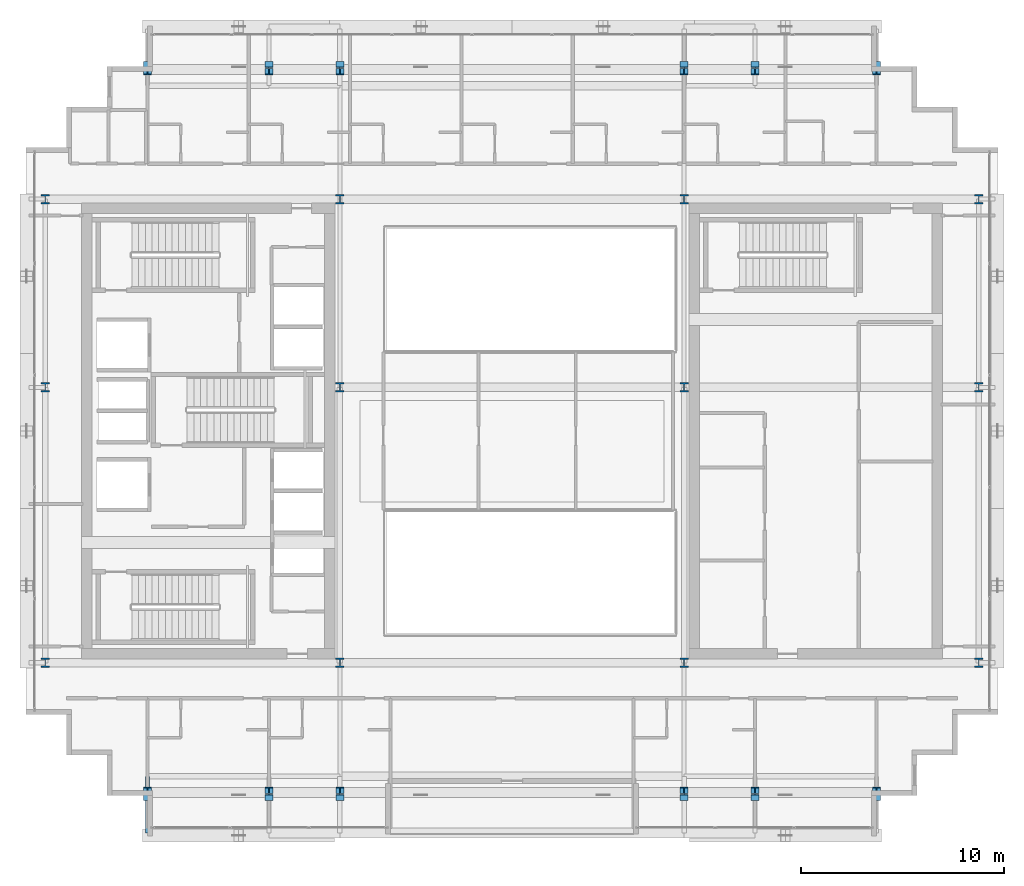
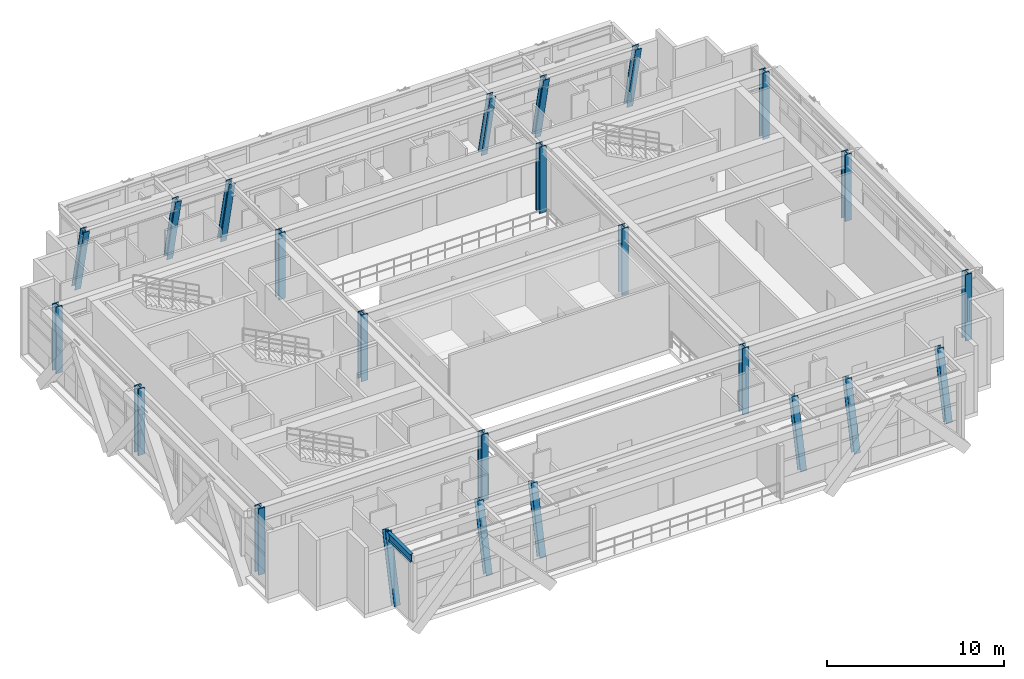
# One storey, part 1 of 31: 24 columns, 1 beam.
"""IFC4 building model written with IfcOpenShell, lengths in metres."""

from ifc_helpers import new_model, si_unit, direction, frame, origin, origin_2d, place, context, subcontext, project, spatial, i_section, extrude, source, transform, mapped, material, material_profile, profile_set, type_object, element, save


model = new_model("IFC4")

# Units and contexts
model_context = context("Model", 3, precision=1e-05, world=origin(), true_north=direction((0.0, 1.0)))
body_context = subcontext(model_context, "Body", "Model", "MODEL_VIEW")
ifc_project = project(units=[si_unit("LENGTHUNIT", "METRE"), si_unit("AREAUNIT", "SQUARE_METRE"), si_unit("VOLUMEUNIT", "CUBIC_METRE"), si_unit("PLANEANGLEUNIT", "RADIAN"), si_unit("MASSUNIT", "GRAM", prefix="KILO")], contexts=[model_context])

# Site, building, storey
site_placement = place(None, origin())
site = spatial("IfcSite", under=ifc_project, at=site_placement, CompositionType="ELEMENT")
building_placement = place(site_placement, origin())
building = spatial("IfcBuilding", under=site, at=building_placement, Name="Ocotamira Hotel", CompositionType="ELEMENT")
storey_placement = place(building_placement, frame((0.0, 0.0, 228.0)))
storey = spatial("IfcBuildingStorey", under=building, at=storey_placement, Name="L57", CompositionType="ELEMENT", Elevation=228.0)

# Columns
ifc_material_1 = material(Name="Steel ASTM A913 Grade 65", Category="steel")
ifc_material_profile_1 = material_profile(ifc_material_1, i_section(OverallWidth=0.422119140625, OverallDepth=0.465087890625, WebThickness=0.044921875, FlangeThickness=0.072509765625, FilletRadius=0.02490234375, at=origin_2d()), Name="W14X398")
ifc_profile_set_1 = profile_set([ifc_material_profile_1], Name="Steel ASTM A913 Grade 65")
column_type_1 = type_object("IfcColumnType", Name="COL-W14X398", PredefinedType="COLUMN", material=ifc_profile_set_1)
shared_shape_1 = source(origin(), body_context, "Body", "SweptSolid", [
    extrude(i_section(OverallWidth=0.422119140625, OverallDepth=0.465087890625, WebThickness=0.044921875, FlangeThickness=0.072509765625, FilletRadius=0.02490234375, at=origin_2d()), origin(), (0.0, 0.0, 1.0), 4.580078125),
])
for number, where, z_axis, x_axis, name in (
    (1, (8.949951171875, 14.550048828125, 0.0), (0.0, 0.0, 1.0), (1.0, 0.0, 0.0), "L57 Column TW8_14"),
    (2, (23.5, 14.550048828125, 0.0), (0.0, 0.0, 1.0), (1.0, 0.0, 0.0), "L57 Column TW23_14"),
    (3, (40.5, 14.550048828125, 0.0), (0.0, 0.0, 1.0), (1.0, 0.0, 0.0), "L57 Column TE40_14"),
    (4, (55.050048828125, 14.550048828125, 0.0), (0.0, 0.0, 1.0), (1.0, 0.0, 0.0), "L57 Column TE55_14"),
    (5, (8.949951171875, 28.14990234375, 0.0), (0.0, 0.0, 1.0), (1.0, 0.0, 0.0), "L57 Column TW8_28"),
    (6, (23.5, 28.14990234375, 0.0), (0.0, 0.0, 1.0), (1.0, 0.0, 0.0), "L57 Column TW23_28"),
    (7, (40.5, 28.14990234375, 0.0), (0.0, 0.0, 1.0), (1.0, 0.0, 0.0), "L57 Column TE40_28"),
    (8, (55.050048828125, 28.14990234375, 0.0), (0.0, 0.0, 1.0), (1.0, 0.0, 0.0), "L57 Column TE55_28"),
    (9, (8.949951171875, 37.449951171875, 0.0), (0.0, 0.0, 1.0), (1.0, 0.0, 0.0), "L57 Column TW8_37"),
    (10, (23.5, 37.449951171875, 0.0), (0.0, 0.0, 1.0), (1.0, 0.0, 0.0), "L57 Column TW23_37"),
    (11, (40.5, 37.449951171875, 0.0), (0.0, 0.0, 1.0), (1.0, 0.0, 0.0), "L57 Column TE40_37"),
    (12, (55.050048828125, 37.449951171875, 0.0), (0.0, 0.0, 1.0), (1.0, 0.0, 0.0), "L57 Column TE55_37"),
):
    element("IfcColumn", number, at=place(storey_placement, frame(where, z_axis=z_axis, x_axis=x_axis)), inside=storey, type_object=column_type_1, Name=name, PredefinedType="COLUMN", context=body_context, shape_type="MappedRepresentation", body=[
        mapped(shared_shape_1, transform((0.0, 0.0, 0.0), scale=1.0)),
    ])
ifc_material_2 = material(Name="Steel ASTM A992 Grade 50", Category="steel")
ifc_material_profile_2 = material_profile(ifc_material_2, i_section(OverallWidth=0.39892578125, OverallDepth=0.386962890625, WebThickness=0.02099609375, FlangeThickness=0.033203125, FilletRadius=0.02490234375, at=origin_2d()), Name="W14X176")
ifc_profile_set_2 = profile_set([ifc_material_profile_2], Name="Steel ASTM A992 Grade 50")
column_type_2 = type_object("IfcColumnType", Name="COL-W14X176", PredefinedType="COLUMN", material=ifc_profile_set_2)
shared_shape_2 = source(origin(), body_context, "Body", "SweptSolid", [
    extrude(i_section(OverallWidth=0.39892578125, OverallDepth=0.386962890625, WebThickness=0.02099609375, FlangeThickness=0.033203125, FilletRadius=0.02490234375, at=origin_2d()), origin(), (0.0, 0.0, 1.0), 4.68798828125),
])
for number, where, z_axis, x_axis, name in (
    (13, (14.0, 7.949951171875, 0.0), (0.0, 0.21331168848, 0.976984198213), (-1.0, 0.0, 0.0), "L57 Column NSP1_14"),
    (14, (20.0, 7.949951171875, 0.0), (0.0, 0.21331168848, 0.976984198213), (-1.0, 0.0, 0.0), "L57 Column NSP1_20"),
    (15, (23.5, 7.949951171875, 0.0), (0.0, 0.21331168848, 0.976984198213), (-1.0, 0.0, 0.0), "L57 Column NSP1_23"),
    (16, (40.5, 7.949951171875, 0.0), (0.0, 0.21331168848, 0.976984198213), (-1.0, 0.0, 0.0), "L57 Column NSP1_40"),
    (17, (44.0, 7.949951171875, 0.0), (0.0, 0.21331168848, 0.976984198213), (-1.0, 0.0, 0.0), "L57 Column NSP1_44"),
    (18, (50.0, 7.949951171875, 0.0), (0.0, 0.21331168848, 0.976984198213), (-1.0, 0.0, 0.0), "L57 Column NSP1_50"),
    (19, (14.0, 44.050048828125, 0.0), (0.0, -0.21331168848, 0.976984198213), (1.0, 0.0, 0.0), "L57 Column NSP2_14"),
    (20, (20.0, 44.050048828125, 0.0), (0.0, -0.21331168848, 0.976984198213), (1.0, 0.0, 0.0), "L57 Column NSP2_20"),
    (21, (23.5, 44.050048828125, 0.0), (0.0, -0.21331168848, 0.976984198213), (1.0, 0.0, 0.0), "L57 Column NSP2_23"),
    (22, (40.5, 44.050048828125, 0.0), (0.0, -0.21331168848, 0.976984198213), (1.0, 0.0, 0.0), "L57 Column NSP2_40"),
    (23, (44.0, 44.050048828125, 0.0), (0.0, -0.21331168848, 0.976984198213), (1.0, 0.0, 0.0), "L57 Column NSP2_44"),
    (24, (50.0, 44.050048828125, 0.0), (0.0, -0.21331168848, 0.976984198213), (1.0, 0.0, 0.0), "L57 Column NSP2_50"),
):
    element("IfcColumn", number, at=place(storey_placement, frame(where, z_axis=z_axis, x_axis=x_axis)), inside=storey, type_object=column_type_2, Name=name, PredefinedType="COLUMN", context=body_context, shape_type="MappedRepresentation", body=[
        mapped(shared_shape_2, transform((0.0, 0.0, 0.0), scale=1.0)),
    ])

# Beam
ifc_material_profile_3 = material_profile(ifc_material_2, i_section(OverallWidth=0.2099609375, OverallDepth=0.537109375, WebThickness=0.010986328125, FlangeThickness=0.017333984375, FilletRadius=0.012939453125, at=origin_2d()), Name="W21X68")
ifc_profile_set_3 = profile_set([ifc_material_profile_3], Name="Steel ASTM A992 Grade 50")
beam_type = type_object("IfcBeamType", Name="BM-SEC-W21X68", PredefinedType="JOIST", material=ifc_profile_set_3)
shared_shape_3 = source(origin(), body_context, "Body", "SweptSolid", [
    extrude(i_section(OverallWidth=0.2099609375, OverallDepth=0.537109375, WebThickness=0.010986328125, FlangeThickness=0.017333984375, FilletRadius=0.012939453125, at=origin_2d()), origin(), (0.0, 0.0, 1.0), 2.800048828125),
])
beam_placement = place(storey_placement, frame((14.0, 8.949951171875, 4.3115234375), z_axis=(0.0, -1.0, 0.0), x_axis=(1.0, 0.0, 0.0)))
element("IfcBeam", 25, at=beam_placement, inside=storey, type_object=beam_type, Name="L57 South Edge Header X14", PredefinedType="JOIST", context=body_context, shape_type="MappedRepresentation", body=[
    mapped(shared_shape_3, transform((0.0, 0.0, 0.0), scale=1.0)),
])

save(model, "model.ifc")
